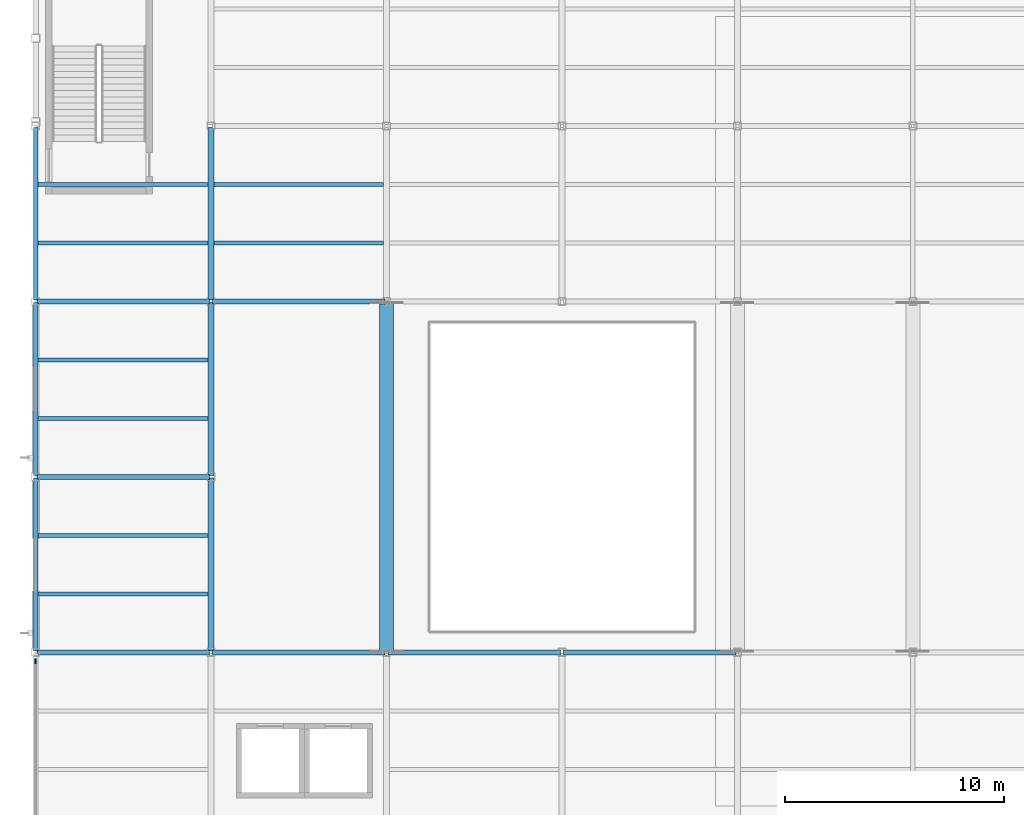
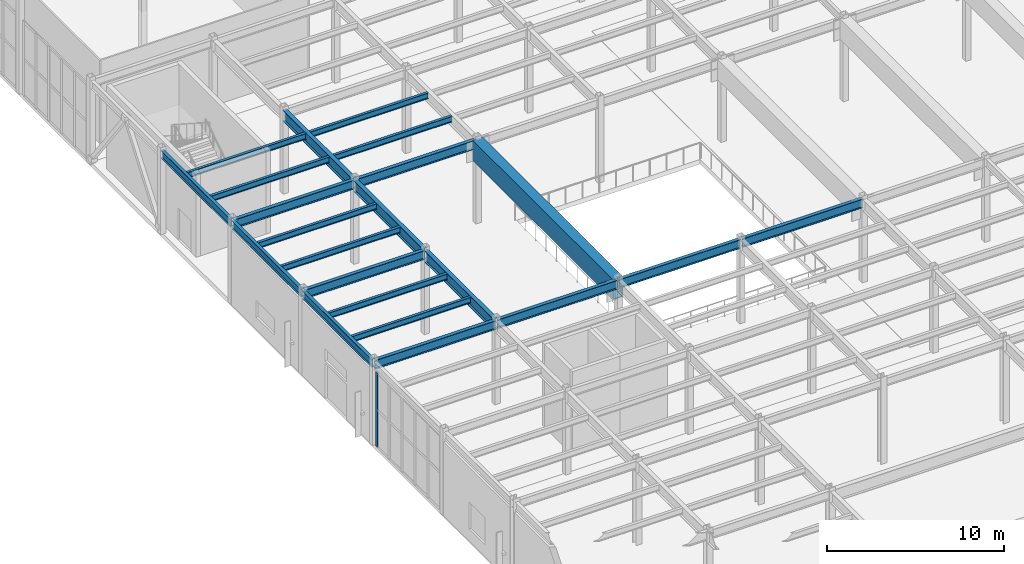
# One storey, part 38 of 82: 22 beams, 1 member, 1 element without a shape of its own.
"""IFC4 building model written with IfcOpenShell, lengths in metres."""

from ifc_helpers import new_model, si_unit, direction, frame, origin, origin_2d, place, context, subcontext, project, spatial, rectangle, hollow_rectangle, i_section, extrude, material, material_profile, profile_set, type_object, element, aggregate, save


model = new_model("IFC4")

# Units and contexts
model_context = context("Model", 3, precision=1e-05, world=origin(), true_north=direction((0.0, 1.0)))
body_context = subcontext(model_context, "Body", "Model", "MODEL_VIEW")
ifc_project = project(units=[si_unit("LENGTHUNIT", "METRE"), si_unit("AREAUNIT", "SQUARE_METRE"), si_unit("VOLUMEUNIT", "CUBIC_METRE"), si_unit("PLANEANGLEUNIT", "RADIAN"), si_unit("MASSUNIT", "GRAM", prefix="KILO")], contexts=[model_context])

# Site, building, storey
site_placement = place(None, origin())
site = spatial("IfcSite", under=ifc_project, at=site_placement, CompositionType="ELEMENT")
building_placement = place(site_placement, origin())
building = spatial("IfcBuilding", under=site, at=building_placement, Name="Drelvath Fold Interchange", CompositionType="ELEMENT")
storey_placement = place(building_placement, origin())
storey = spatial("IfcBuildingStorey", under=building, at=storey_placement, Name="L00", CompositionType="ELEMENT", Elevation=0.0)

# Beams
ifc_material_1 = material(Name="Steel ASTM A992 Grade 50", Category="steel")
ifc_material_profile_1 = material_profile(ifc_material_1, i_section(OverallWidth=0.177978515625, OverallDepth=0.403076171875, WebThickness=0.007568359375, FlangeThickness=0.010986328125, at=origin_2d()), Name="W16X36")
ifc_profile_set_1 = profile_set([ifc_material_profile_1], Name="Steel ASTM A992 Grade 50")
beam_type_1 = type_object("IfcBeamType", Name="BM-W16X36", PredefinedType="JOIST", material=ifc_profile_set_1)
for number, where, z_axis, x_axis, name in (
    (1, (4.10302734375, 69.6669921875, 5.55810546875), (1.0, 0.0, 0.0), (0.0, 1.0, 0.0), "L00 Secondary floor joist BM-W16X36"),
    (2, (4.10302734375, 72.3330078125, 5.55810546875), (1.0, 0.0, 0.0), (0.0, 1.0, 0.0), "L00 Secondary floor joist BM-W16X36"),
    (3, (4.10302734375, 77.6669921875, 5.55810546875), (1.0, 0.0, 0.0), (0.0, 1.0, 0.0), "L00 Secondary floor joist BM-W16X36"),
    (4, (4.10302734375, 80.3330078125, 5.55810546875), (1.0, 0.0, 0.0), (0.0, 1.0, 0.0), "L00 Secondary floor joist BM-W16X36"),
    (5, (4.10302734375, 85.6669921875, 5.55810546875), (1.0, 0.0, 0.0), (0.0, 1.0, 0.0), "L00 Secondary floor joist BM-W16X36"),
    (6, (4.10302734375, 88.3330078125, 5.55810546875), (1.0, 0.0, 0.0), (0.0, 1.0, 0.0), "L00 Secondary floor joist BM-W16X36"),
):
    element("IfcBeam", number, at=place(storey_placement, frame(where, z_axis=z_axis, x_axis=x_axis)), inside=storey, type_object=beam_type_1, Name=name, PredefinedType="JOIST", context=body_context, shape_type="SweptSolid", body=[
        extrude(i_section(OverallWidth=0.177978515625, OverallDepth=0.403076171875, WebThickness=0.007568359375, FlangeThickness=0.010986328125, at=origin_2d()), origin(), (0.0, 0.0, 1.0), 7.765869140625),
    ])
for number, where, z_axis, x_axis, name in (
    (7, (12.131103515625, 85.6669921875, 5.55810546875), (1.0, 0.0, 0.0), (0.0, 1.0, 0.0), "L00 Secondary floor joist BM-W16X36"),
    (8, (12.131103515625, 88.3330078125, 5.55810546875), (1.0, 0.0, 0.0), (0.0, 1.0, 0.0), "L00 Secondary floor joist BM-W16X36"),
):
    element("IfcBeam", number, at=place(storey_placement, frame(where, z_axis=z_axis, x_axis=x_axis)), inside=storey, type_object=beam_type_1, Name=name, PredefinedType="JOIST", context=body_context, shape_type="SweptSolid", body=[
        extrude(i_section(OverallWidth=0.177978515625, OverallDepth=0.403076171875, WebThickness=0.007568359375, FlangeThickness=0.010986328125, at=origin_2d()), origin(), (0.0, 0.0, 1.0), 7.73779296875),
    ])
ifc_material_profile_2 = material_profile(ifc_material_1, i_section(OverallWidth=0.2099609375, OverallDepth=0.537109375, WebThickness=0.010986328125, FlangeThickness=0.017333984375, at=origin_2d()), Name="W21X68")
ifc_profile_set_2 = profile_set([ifc_material_profile_2], Name="Steel ASTM A992 Grade 50")
beam_type_2 = type_object("IfcBeamType", Name="BM-W21X68", PredefinedType="SPANDREL", material=ifc_profile_set_2)
for number, where, z_axis, x_axis, name in (
    (9, (4.0, 67.06005859375, 5.490966796875), (0.0, 1.0, 0.0), (-1.0, 0.0, 0.0), "L00 Primary Y girder BM-W21X68"),
    (10, (4.0, 75.06005859375, 5.490966796875), (0.0, 1.0, 0.0), (-1.0, 0.0, 0.0), "L00 Primary Y girder BM-W21X68"),
    (11, (4.0, 83.06005859375, 5.490966796875), (0.0, 1.0, 0.0), (-1.0, 0.0, 0.0), "L00 Primary Y girder BM-W21X68"),
):
    element("IfcBeam", number, at=place(storey_placement, frame(where, z_axis=z_axis, x_axis=x_axis)), inside=storey, type_object=beam_type_2, Name=name, PredefinedType="SPANDREL", context=body_context, shape_type="SweptSolid", body=[
        extrude(i_section(OverallWidth=0.2099609375, OverallDepth=0.537109375, WebThickness=0.010986328125, FlangeThickness=0.017333984375, at=origin_2d()), origin(), (0.0, 0.0, 1.0), 7.8798828125),
    ])
ifc_material_profile_3 = material_profile(ifc_material_1, i_section(OverallWidth=0.22998046875, OverallDepth=0.616943359375, WebThickness=0.01318359375, FlangeThickness=0.022216796875, at=origin_2d()), Name="W24X94")
ifc_profile_set_3 = profile_set([ifc_material_profile_3], Name="Steel ASTM A992 Grade 50")
beam_type_3 = type_object("IfcBeamType", Name="BM-W24X94", PredefinedType="BEAM", material=ifc_profile_set_3)
for number, where, z_axis, x_axis, name in (
    (12, (4.06005859375, 67.0, 5.450927734375), (1.0, 0.0, 0.0), (0.0, 1.0, 0.0), "L00 Primary X girder BM-W24X94"),
    (13, (12.06005859375, 67.0, 5.450927734375), (1.0, 0.0, 0.0), (0.0, 1.0, 0.0), "L00 Primary X girder BM-W24X94"),
    (14, (20.06005859375, 67.0, 5.450927734375), (1.0, 0.0, 0.0), (0.0, 1.0, 0.0), "L00 Primary X girder BM-W24X94"),
    (15, (28.06005859375, 67.0, 5.450927734375), (1.0, 0.0, 0.0), (0.0, 1.0, 0.0), "L00 Primary X girder BM-W24X94"),
    (16, (4.06005859375, 75.0, 5.450927734375), (1.0, 0.0, 0.0), (0.0, 1.0, 0.0), "L00 Primary X girder BM-W24X94"),
    (17, (4.06005859375, 83.0, 5.450927734375), (1.0, 0.0, 0.0), (0.0, 1.0, 0.0), "L00 Primary X girder BM-W24X94"),
    (18, (12.06005859375, 83.0, 5.450927734375), (1.0, 0.0, 0.0), (0.0, 1.0, 0.0), "L00 Primary X girder BM-W24X94"),
):
    element("IfcBeam", number, at=place(storey_placement, frame(where, z_axis=z_axis, x_axis=x_axis)), inside=storey, type_object=beam_type_3, Name=name, PredefinedType="BEAM", context=body_context, shape_type="SweptSolid", body=[
        extrude(i_section(OverallWidth=0.22998046875, OverallDepth=0.616943359375, WebThickness=0.01318359375, FlangeThickness=0.022216796875, at=origin_2d()), origin(), (0.0, 0.0, 1.0), 7.8798828125),
    ])
ifc_material_profile_4 = material_profile(ifc_material_1, i_section(OverallWidth=0.26611328125, OverallDepth=0.779052734375, WebThickness=0.0166015625, FlangeThickness=0.030029296875, at=origin_2d()), Name="W30X148")
ifc_profile_set_4 = profile_set([ifc_material_profile_4], Name="Steel ASTM A992 Grade 50")
beam_type_4 = type_object("IfcBeamType", Name="BM-W30X148", PredefinedType="BEAM", material=ifc_profile_set_4)
for number, where, z_axis, x_axis, name in (
    (19, (12.0, 67.06005859375, 5.3701171875), (0.0, 1.0, 0.0), (-1.0, 0.0, 0.0), "L00 Primary Y girder BM-W30X148"),
    (20, (12.0, 75.06005859375, 5.3701171875), (0.0, 1.0, 0.0), (-1.0, 0.0, 0.0), "L00 Primary Y girder BM-W30X148"),
    (21, (12.0, 83.06005859375, 5.3701171875), (0.0, 1.0, 0.0), (-1.0, 0.0, 0.0), "L00 Primary Y girder BM-W30X148"),
):
    element("IfcBeam", number, at=place(storey_placement, frame(where, z_axis=z_axis, x_axis=x_axis)), inside=storey, type_object=beam_type_4, Name=name, PredefinedType="BEAM", context=body_context, shape_type="SweptSolid", body=[
        extrude(i_section(OverallWidth=0.26611328125, OverallDepth=0.779052734375, WebThickness=0.0166015625, FlangeThickness=0.030029296875, at=origin_2d()), origin(), (0.0, 0.0, 1.0), 7.8798828125),
    ])

# Curtain wall, member
ifc_material_2 = material(Name="Anodized Aluminium 6063-T6", Category="aluminium")
curtain_wall_type = type_object("IfcCurtainWallType", Name="CW-CON-600", PredefinedType="USERDEFINED", material=ifc_material_2)
curtain_wall_placement = place(storey_placement, origin())
curtain_wall = element("IfcCurtainWall", 22, at=curtain_wall_placement, inside=storey, type_object=curtain_wall_type, Name="Curtain wall CW-V1-L00-W59", ObjectType="UNITISED CURTAIN WALL", PredefinedType="USERDEFINED")
ifc_material_profile_5 = material_profile(ifc_material_2, rectangle(XDim=0.06494140625, YDim=0.219970703125, at=origin_2d()), Name="AL-M 65x220")
ifc_profile_set_5 = profile_set([ifc_material_profile_5], Name="Anodized Aluminium 6063-T6")
member_type = type_object("IfcMemberType", Name="ML-220", PredefinedType="MULLION", material=ifc_profile_set_5)
member_placement = place(storey_placement, frame((4.0, 66.60009765625, 0.0), z_axis=(0.0, 0.0, 1.0), x_axis=(1.0, 0.0, 0.0)))
member = element("IfcMember", 23, at=member_placement, type_object=member_type, Name="CW-V1-L00-W59 mullion 5", PredefinedType="MULLION", context=body_context, shape_type="SweptSolid", body=[
    extrude(rectangle(XDim=0.06494140625, YDim=0.219970703125, at=origin_2d()), origin(), (0.0, 0.0, 1.0), 5.14990234375),
])
aggregate(curtain_wall, [member])

# Beam
ifc_material_3 = material(Name="Steel ASTM A572 Grade 50", Category="steel")
ifc_material_profile_6 = material_profile(ifc_material_3, hollow_rectangle(XDim=0.64990234375, YDim=1.39990234375, WallThickness=0.06494140625, at=origin_2d()), Name="BOX 1400x650x65")
ifc_profile_set_6 = profile_set([ifc_material_profile_6], Name="Steel ASTM A572 Grade 50")
beam_type_5 = type_object("IfcBeamType", Name="TG-BOX1400", PredefinedType="USERDEFINED", material=ifc_profile_set_6)
beam_placement = place(storey_placement, frame((20.0, 67.06005859375, 5.06005859375), z_axis=(0.0, 1.0, 0.0), x_axis=(-1.0, 0.0, 0.0)))
element("IfcBeam", 24, at=beam_placement, inside=storey, type_object=beam_type_5, Name="L00 Primary Y girder TG-BOX1400", ObjectType="GIRDER", PredefinedType="USERDEFINED", context=body_context, shape_type="SweptSolid", body=[
    extrude(hollow_rectangle(XDim=0.64990234375, YDim=1.39990234375, WallThickness=0.06494140625, at=origin_2d()), origin(), (0.0, 0.0, 1.0), 15.8798828125),
])

save(model, "model.ifc")
